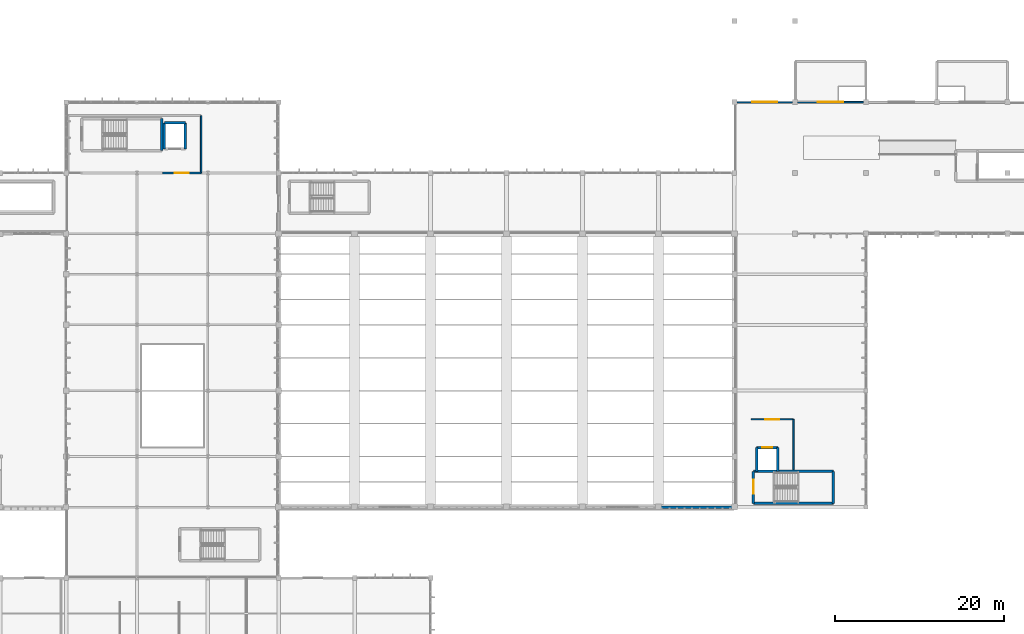
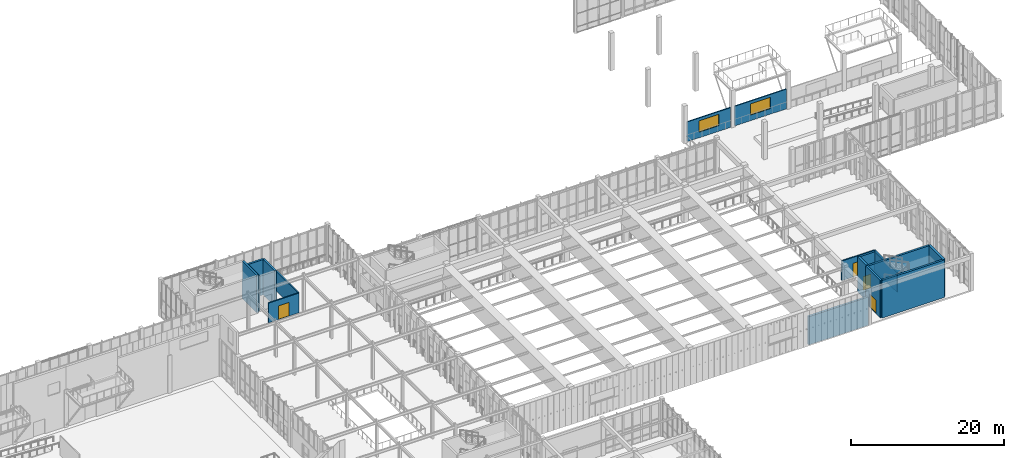
# One storey, part 76 of 105: 18 walls, 4 doors, 2 windows, 6 openings.
"""IFC4 building model written with IfcOpenShell, lengths in metres."""

from ifc_helpers import new_model, si_unit, direction, frame, frame_2d, origin, place, context, subcontext, project, spatial, rectangle, extrude, material, layer, layer_set, type_object, element, fill, save


model = new_model("IFC4")

# Units and contexts
model_context = context("Model", 3, precision=1e-05, world=origin(), true_north=direction((0.0, 1.0)))
body_context = subcontext(model_context, "Body", "Model", "MODEL_VIEW")
ifc_project = project(units=[si_unit("LENGTHUNIT", "METRE"), si_unit("AREAUNIT", "SQUARE_METRE"), si_unit("VOLUMEUNIT", "CUBIC_METRE"), si_unit("PLANEANGLEUNIT", "RADIAN"), si_unit("MASSUNIT", "GRAM", prefix="KILO")], contexts=[model_context])

# Site, building, storey
site_placement = place(None, origin())
site = spatial("IfcSite", under=ifc_project, at=site_placement, CompositionType="ELEMENT")
building_placement = place(site_placement, origin())
building = spatial("IfcBuilding", under=site, at=building_placement, Name="Tizgana Railside Sports Hall", CompositionType="ELEMENT")
storey_placement = place(building_placement, frame((0.0, 0.0, 6.0)))
storey = spatial("IfcBuildingStorey", under=building, at=storey_placement, Name="L01", CompositionType="ELEMENT", Elevation=6.0)

# Walls
ifc_material_1 = material(Name="Concrete C40/50", Category="concrete")
ifc_layer_1 = layer(ifc_material_1, 0.300048828125, Name="Concrete C40/50")
ifc_layer_set_1 = layer_set([ifc_layer_1], Name="Concrete C40/50")
wall_type_1 = type_object("IfcWallType", Name="Core Shear Wall 300", PredefinedType="SHEAR", material=ifc_layer_set_1)
wall_1_placement = place(storey_placement, frame((65.949951171875, 83.050048828125, 0.0), z_axis=(0.0, 0.0, 1.0), x_axis=(0.0, 1.0, 0.0)))
element("IfcWall", 1, at=wall_1_placement, inside=storey, type_object=wall_type_1, Name="L01 C4 Shaft Wall E", PredefinedType="SHEAR", context=body_context, shape_type="SweptSolid", body=[
    extrude(rectangle(XDim=3.800048828125, YDim=0.300048828125, at=frame_2d((1.89990234375, 0.0))), origin(), (0.0, 0.0, 1.0), 6.0),
])
wall_2_placement = place(storey_placement, frame((66.25, 86.35009765625, 0.0), z_axis=(0.0, 0.0, 1.0), x_axis=(1.0, 0.0, 0.0)))
element("IfcWall", 2, at=wall_2_placement, inside=storey, type_object=wall_type_1, Name="L01 LF-02 Shaft Wall N", PredefinedType="SHEAR", context=body_context, shape_type="SweptSolid", body=[
    extrude(rectangle(XDim=2.5, YDim=0.300048828125, at=frame_2d((1.25, 0.0))), origin(), (0.0, 0.0, 1.0), 5.639892578125),
])
for number, where, z_axis, x_axis, name in (
    (3, (66.25, 83.25, 0.0), (0.0, 0.0, 1.0), (0.0, 1.0, 0.0), "L01 LF-02 Shaft Wall W"),
    (4, (68.75, 83.25, 0.0), (0.0, 0.0, 1.0), (0.0, 1.0, 0.0), "L01 LF-02 Shaft Wall E"),
):
    element("IfcWall", number, at=place(storey_placement, frame(where, z_axis=z_axis, x_axis=x_axis)), inside=storey, type_object=wall_type_1, Name=name, PredefinedType="SHEAR", context=body_context, shape_type="SweptSolid", body=[
        extrude(rectangle(XDim=3.10009765625, YDim=0.300048828125, at=frame_2d((1.550048828125, 0.0))), origin(), (0.0, 0.0, 1.0), 5.639892578125),
    ])
for number, where, z_axis, x_axis, name in (
    (5, (145.550048828125, 41.25, 0.0), (0.0, 0.0, 1.0), (-1.0, 0.0, 0.0), "L01 C5 Shaft Wall S"),
    (6, (136.050048828125, 45.050048828125, 0.0), (0.0, 0.0, 1.0), (1.0, 0.0, 0.0), "L01 C5 Shaft Wall N"),
):
    element("IfcWall", number, at=place(storey_placement, frame(where, z_axis=z_axis, x_axis=x_axis)), inside=storey, type_object=wall_type_1, Name=name, PredefinedType="SHEAR", context=body_context, shape_type="SweptSolid", body=[
        extrude(rectangle(XDim=9.5, YDim=0.300048828125, at=frame_2d((4.75, 0.0))), origin(), (0.0, 0.0, 1.0), 6.0),
    ])

# Wall, opening, door
wall_3_placement = place(storey_placement, frame((136.050048828125, 41.25, 0.0), z_axis=(0.0, 0.0, 1.0), x_axis=(0.0, 1.0, 0.0)))
wall_3 = element("IfcWall", 7, at=wall_3_placement, inside=storey, type_object=wall_type_1, Name="L01 C5 Shaft Wall W", PredefinedType="SHEAR", context=body_context, shape_type="SweptSolid", body=[
    extrude(rectangle(XDim=3.800048828125, YDim=0.300048828125, at=frame_2d((1.89990234375, 0.0))), origin(), (0.0, 0.0, 1.0), 6.0),
])
opening_1_placement = place(wall_3_placement, frame((1.14990234375, 0.0, 0.0)))
opening_1 = element("IfcOpeningElement", 8, at=opening_1_placement, cuts=wall_3, Name="Opening D-0081", PredefinedType="OPENING", context=body_context, shape_type="SweptSolid", body=[
    extrude(rectangle(XDim=1.64990234375, YDim=2.199951171875, at=frame_2d((0.824951171875, 1.10009765625))), frame((0.0, 0.159912109375, 0.0), z_axis=(0.0, -1.0, 0.0), x_axis=(1.0, 0.0, 0.0)), (0.0, 0.0, 1.0), 0.320068359375),
])
ifc_material_2 = material(Name="Timber fire leaf", Category="wood")
door_type_1 = type_object("IfcDoorType", Name="Stair Core Double Fire Door 1650x2200", OperationType="NOTDEFINED", PredefinedType="DOOR", material=ifc_material_2)
door_1_placement = place(opening_1_placement, origin())
door_1 = element("IfcDoor", 9, at=door_1_placement, inside=storey, type_object=door_type_1, Name="L01 Door D-0081", OperationType="DOUBLE_DOOR_SINGLE_SWING", OverallHeight=2.199951171875, OverallWidth=1.64990234375, PredefinedType="DOOR", context=body_context, shape_type="SweptSolid", body=[
    extrude(rectangle(XDim=1.64990234375, YDim=2.199951171875, at=frame_2d((0.824951171875, 1.10009765625))), frame((0.0, 0.02490234375, 0.0), z_axis=(0.0, -1.0, 0.0), x_axis=(1.0, 0.0, 0.0)), (0.0, 0.0, 1.0), 0.050048828125),
])
fill(opening_1, door_1)

# Wall
wall_4_placement = place(storey_placement, frame((145.550048828125, 41.25, 0.0), z_axis=(0.0, 0.0, 1.0), x_axis=(0.0, 1.0, 0.0)))
element("IfcWall", 10, at=wall_4_placement, inside=storey, type_object=wall_type_1, Name="L01 C5 Shaft Wall E", PredefinedType="SHEAR", context=body_context, shape_type="SweptSolid", body=[
    extrude(rectangle(XDim=3.800048828125, YDim=0.300048828125, at=frame_2d((1.89990234375, 0.0))), origin(), (0.0, 0.0, 1.0), 6.0),
])

# Wall, opening, door
wall_5_placement = place(storey_placement, frame((136.449951171875, 47.85009765625, 0.0), z_axis=(0.0, 0.0, 1.0), x_axis=(1.0, 0.0, 0.0)))
wall_5 = element("IfcWall", 11, at=wall_5_placement, inside=storey, type_object=wall_type_1, Name="L01 LP-03 Shaft Wall N", PredefinedType="SHEAR", context=body_context, shape_type="SweptSolid", body=[
    extrude(rectangle(XDim=2.5, YDim=0.300048828125, at=frame_2d((1.25, 0.0))), origin(), (0.0, 0.0, 1.0), 5.639892578125),
])
opening_2_placement = place(wall_5_placement, frame((0.675048828125, 0.0, 0.0)))
opening_2 = element("IfcOpeningElement", 12, at=opening_2_placement, cuts=wall_5, Name="Opening D-0085", PredefinedType="OPENING", context=body_context, shape_type="SweptSolid", body=[
    extrude(rectangle(XDim=1.14990234375, YDim=2.199951171875, at=frame_2d((0.574951171875, 1.10009765625))), frame((0.0, 0.159912109375, 0.0), z_axis=(0.0, -1.0, 0.0), x_axis=(1.0, 0.0, 0.0)), (0.0, 0.0, 1.0), 0.320068359375),
])
ifc_material_3 = material(Name="Brushed stainless steel", Category="steel")
door_type_2 = type_object("IfcDoorType", Name="Passenger Lift Sliding Door 1150x2200", OperationType="NOTDEFINED", PredefinedType="DOOR", material=ifc_material_3)
door_2_placement = place(opening_2_placement, origin())
door_2 = element("IfcDoor", 13, at=door_2_placement, inside=storey, type_object=door_type_2, Name="L01 Door D-0085", OperationType="DOUBLE_DOOR_SLIDING", OverallHeight=2.199951171875, OverallWidth=1.14990234375, PredefinedType="DOOR", context=body_context, shape_type="SweptSolid", body=[
    extrude(rectangle(XDim=1.14990234375, YDim=2.199951171875, at=frame_2d((0.574951171875, 1.10009765625))), frame((0.0, 0.02490234375, 0.0), z_axis=(0.0, -1.0, 0.0), x_axis=(1.0, 0.0, 0.0)), (0.0, 0.0, 1.0), 0.050048828125),
])
fill(opening_2, door_2)

# Walls
for number, where, z_axis, x_axis, name in (
    (14, (136.449951171875, 45.050048828125, 0.0), (0.0, 0.0, 1.0), (0.0, 1.0, 0.0), "L01 LP-03 Shaft Wall W"),
    (15, (138.949951171875, 45.050048828125, 0.0), (0.0, 0.0, 1.0), (0.0, 1.0, 0.0), "L01 LP-03 Shaft Wall E"),
):
    element("IfcWall", number, at=place(storey_placement, frame(where, z_axis=z_axis, x_axis=x_axis)), inside=storey, type_object=wall_type_1, Name=name, PredefinedType="SHEAR", context=body_context, shape_type="SweptSolid", body=[
        extrude(rectangle(XDim=2.800048828125, YDim=0.300048828125, at=frame_2d((1.39990234375, 0.0))), origin(), (0.0, 0.0, 1.0), 5.639892578125),
    ])
ifc_material_4 = material(Name="Precast concrete C40/50", Category="concrete")
ifc_layer_2 = layer(ifc_material_4, 0.31005859375, Name="Precast concrete C40/50")
ifc_layer_set_2 = layer_set([ifc_layer_2], Name="Precast concrete C40/50")
wall_type_2 = type_object("IfcWallType", Name="Exterior Acoustic Hall Wall 310", PredefinedType="STANDARD", material=ifc_layer_set_2)
wall_6_placement = place(storey_placement, frame((133.75, 40.800048828125, -0.050048828125), z_axis=(0.0, 0.0, 1.0), x_axis=(-1.0, 0.0, 0.0)))
element("IfcWall", 16, at=wall_6_placement, inside=storey, type_object=wall_type_2, Name="L01 Exterior Wall EWAL-0050", PredefinedType="STANDARD", context=body_context, shape_type="SweptSolid", body=[
    extrude(rectangle(XDim=8.9951171875, YDim=0.31005859375, at=frame_2d((4.49755859375, 0.0))), origin(), (0.0, 0.0, 1.0), 4.52099609375),
])
ifc_material_5 = material(Name="Masonry blockwork", Category="masonry")
ifc_layer_3 = layer(ifc_material_5, 0.179931640625, Name="Masonry blockwork")
ifc_layer_set_3 = layer_set([ifc_layer_3], Name="Masonry blockwork")
wall_type_3 = type_object("IfcWallType", Name="Riser and Shaft Wall 180", PredefinedType="STANDARD", material=ifc_layer_set_3)
wall_7_placement = place(storey_placement, frame((70.60009765625, 80.39990234375, 0.0), z_axis=(0.0, 0.0, 1.0), x_axis=(0.0, 1.0, 0.0)))
element("IfcWall", 17, at=wall_7_placement, inside=storey, type_object=wall_type_3, Name="L01 Partition PWAL-0323", PredefinedType="STANDARD", context=body_context, shape_type="SweptSolid", body=[
    extrude(rectangle(XDim=6.800048828125, YDim=0.179931640625, at=frame_2d((3.39990234375, 0.0))), origin(), (0.0, 0.0, 1.0), 3.14990234375),
])

# Wall, opening, door
wall_8_placement = place(storey_placement, frame((66.0, 80.39990234375, 0.0), z_axis=(0.0, 0.0, 1.0), x_axis=(1.0, 0.0, 0.0)))
wall_8 = element("IfcWall", 18, at=wall_8_placement, inside=storey, type_object=wall_type_3, Name="L01 Partition PWAL-0324", PredefinedType="STANDARD", context=body_context, shape_type="SweptSolid", body=[
    extrude(rectangle(XDim=4.60009765625, YDim=0.179931640625, at=frame_2d((2.300048828125, 0.0))), origin(), (0.0, 0.0, 1.0), 3.14990234375),
])
opening_3_placement = place(wall_8_placement, frame((1.47509765625, 0.0, 0.0)))
opening_3 = element("IfcOpeningElement", 19, at=opening_3_placement, cuts=wall_8, Name="Opening D-0293", PredefinedType="OPENING", context=body_context, shape_type="SweptSolid", body=[
    extrude(rectangle(XDim=1.64990234375, YDim=2.199951171875, at=frame_2d((0.824951171875, 1.10009765625))), frame((0.0, 0.099853515625, 0.0), z_axis=(0.0, -1.0, 0.0), x_axis=(1.0, 0.0, 0.0)), (0.0, 0.0, 1.0), 0.199951171875),
])
door_3_placement = place(opening_3_placement, origin())
door_3 = element("IfcDoor", 20, at=door_3_placement, inside=storey, type_object=door_type_1, Name="L01 Door D-0293", OperationType="DOUBLE_DOOR_SINGLE_SWING", OverallHeight=2.199951171875, OverallWidth=1.64990234375, PredefinedType="DOOR", context=body_context, shape_type="SweptSolid", body=[
    extrude(rectangle(XDim=1.64990234375, YDim=2.199951171875, at=frame_2d((0.824951171875, 1.10009765625))), frame((0.0, 0.02490234375, 0.0), z_axis=(0.0, -1.0, 0.0), x_axis=(1.0, 0.0, 0.0)), (0.0, 0.0, 1.0), 0.050048828125),
])
fill(opening_3, door_3)

wall_9_placement = place(storey_placement, frame((135.800048828125, 51.199951171875, 0.0), z_axis=(0.0, 0.0, 1.0), x_axis=(1.0, 0.0, 0.0)))
wall_9 = element("IfcWall", 21, at=wall_9_placement, inside=storey, type_object=wall_type_3, Name="L01 Partition PWAL-0346", PredefinedType="STANDARD", context=body_context, shape_type="SweptSolid", body=[
    extrude(rectangle(XDim=5.0, YDim=0.179931640625, at=frame_2d((2.5, 0.0))), origin(), (0.0, 0.0, 1.0), 3.14990234375),
])
opening_4_placement = place(wall_9_placement, frame((1.675048828125, 0.0, 0.0)))
opening_4 = element("IfcOpeningElement", 22, at=opening_4_placement, cuts=wall_9, Name="Opening D-0309", PredefinedType="OPENING", context=body_context, shape_type="SweptSolid", body=[
    extrude(rectangle(XDim=1.64990234375, YDim=2.199951171875, at=frame_2d((0.824951171875, 1.10009765625))), frame((0.0, 0.099853515625, 0.0), z_axis=(0.0, -1.0, 0.0), x_axis=(1.0, 0.0, 0.0)), (0.0, 0.0, 1.0), 0.199951171875),
])
door_4_placement = place(opening_4_placement, origin())
door_4 = element("IfcDoor", 23, at=door_4_placement, inside=storey, type_object=door_type_1, Name="L01 Door D-0309", OperationType="DOUBLE_DOOR_SINGLE_SWING", OverallHeight=2.199951171875, OverallWidth=1.64990234375, PredefinedType="DOOR", context=body_context, shape_type="SweptSolid", body=[
    extrude(rectangle(XDim=1.64990234375, YDim=2.199951171875, at=frame_2d((0.824951171875, 1.10009765625))), frame((0.0, 0.02490234375, 0.0), z_axis=(0.0, -1.0, 0.0), x_axis=(1.0, 0.0, 0.0)), (0.0, 0.0, 1.0), 0.050048828125),
])
fill(opening_4, door_4)

# Wall
wall_10_placement = place(storey_placement, frame((140.800048828125, 45.205078125, 0.0), z_axis=(0.0, 0.0, 1.0), x_axis=(0.0, 1.0, 0.0)))
element("IfcWall", 24, at=wall_10_placement, inside=storey, type_object=wall_type_3, Name="L01 Partition PWAL-0347", PredefinedType="STANDARD", context=body_context, shape_type="SweptSolid", body=[
    extrude(rectangle(XDim=5.994873046875, YDim=0.179931640625, at=frame_2d((2.99755859375, 0.0))), origin(), (0.0, 0.0, 1.0), 3.14990234375),
])

# Wall, opening, window
ifc_material_6 = material(Name="Acoustic gypsum stud")
ifc_layer_4 = layer(ifc_material_6, 0.169921875, Name="Acoustic gypsum stud")
ifc_layer_set_4 = layer_set([ifc_layer_4], Name="Acoustic gypsum stud")
wall_type_4 = type_object("IfcWallType", Name="Studio Acoustic Partition 170", PredefinedType="STANDARD", material=ifc_layer_set_4)
wall_11_placement = place(storey_placement, frame((134.10009765625, 88.800048828125, 0.0), z_axis=(0.0, 0.0, 1.0), x_axis=(1.0, 0.0, 0.0)))
wall_11 = element("IfcWall", 25, at=wall_11_placement, inside=storey, type_object=wall_type_4, Name="L01 Partition PWAL-0285", PredefinedType="STANDARD", context=body_context, shape_type="SweptSolid", body=[
    extrude(rectangle(XDim=6.599853515625, YDim=0.169921875, at=frame_2d((3.2998046875, 0.0))), origin(), (0.0, 0.0, 1.0), 3.14990234375),
])
opening_5_placement = place(wall_11_placement, frame((1.800048828125, 0.0, 0.89990234375)))
opening_5 = element("IfcOpeningElement", 26, at=opening_5_placement, cuts=wall_11, Name="Opening W-0130", PredefinedType="OPENING", context=body_context, shape_type="SweptSolid", body=[
    extrude(rectangle(XDim=3.0, YDim=1.800048828125, at=frame_2d((1.5, 0.89990234375))), frame((0.0, 0.094970703125, 0.0), z_axis=(0.0, -1.0, 0.0), x_axis=(1.0, 0.0, 0.0)), (0.0, 0.0, 1.0), 0.18994140625),
])
ifc_material_7 = material(Name="Double low-E laminated glass", Category="glass")
window_type = type_object("IfcWindowType", Name="Gallery-to-Climbing Viewing Window 3000x2100", PartitioningType="SINGLE_PANEL", PredefinedType="WINDOW", material=ifc_material_7)
window_1_placement = place(opening_5_placement, origin())
window_1 = element("IfcWindow", 27, at=window_1_placement, inside=storey, type_object=window_type, Name="L01 Interior Window W-0130", OverallHeight=1.800048828125, OverallWidth=3.0, PartitioningType="SINGLE_PANEL", PredefinedType="WINDOW", context=body_context, shape_type="SweptSolid", body=[
    extrude(rectangle(XDim=3.0, YDim=1.800048828125, at=frame_2d((1.5, 0.89990234375))), frame((0.0, 0.030029296875, 0.0), z_axis=(0.0, -1.0, 0.0), x_axis=(1.0, 0.0, 0.0)), (0.0, 0.0, 1.0), 0.06005859375),
])
fill(opening_5, window_1)

wall_12_placement = place(storey_placement, frame((141.300048828125, 88.800048828125, 0.0), z_axis=(0.0, 0.0, 1.0), x_axis=(1.0, 0.0, 0.0)))
wall_12 = element("IfcWall", 28, at=wall_12_placement, inside=storey, type_object=wall_type_4, Name="L01 Partition PWAL-0287", PredefinedType="STANDARD", context=body_context, shape_type="SweptSolid", body=[
    extrude(rectangle(XDim=7.800048828125, YDim=0.169921875, at=frame_2d((3.89990234375, 0.0))), origin(), (0.0, 0.0, 1.0), 3.14990234375),
])
opening_6_placement = place(wall_12_placement, frame((2.39990234375, 0.0, 0.89990234375)))
opening_6 = element("IfcOpeningElement", 29, at=opening_6_placement, cuts=wall_12, Name="Opening W-0131", PredefinedType="OPENING", context=body_context, shape_type="SweptSolid", body=[
    extrude(rectangle(XDim=3.0, YDim=1.800048828125, at=frame_2d((1.5, 0.89990234375))), frame((0.0, 0.094970703125, 0.0), z_axis=(0.0, -1.0, 0.0), x_axis=(1.0, 0.0, 0.0)), (0.0, 0.0, 1.0), 0.18994140625),
])
window_2_placement = place(opening_6_placement, origin())
window_2 = element("IfcWindow", 30, at=window_2_placement, inside=storey, type_object=window_type, Name="L01 Interior Window W-0131", OverallHeight=1.800048828125, OverallWidth=3.0, PartitioningType="SINGLE_PANEL", PredefinedType="WINDOW", context=body_context, shape_type="SweptSolid", body=[
    extrude(rectangle(XDim=3.0, YDim=1.800048828125, at=frame_2d((1.5, 0.89990234375))), frame((0.0, 0.030029296875, 0.0), z_axis=(0.0, -1.0, 0.0), x_axis=(1.0, 0.0, 0.0)), (0.0, 0.0, 1.0), 0.06005859375),
])
fill(opening_6, window_2)

save(model, "model.ifc")
